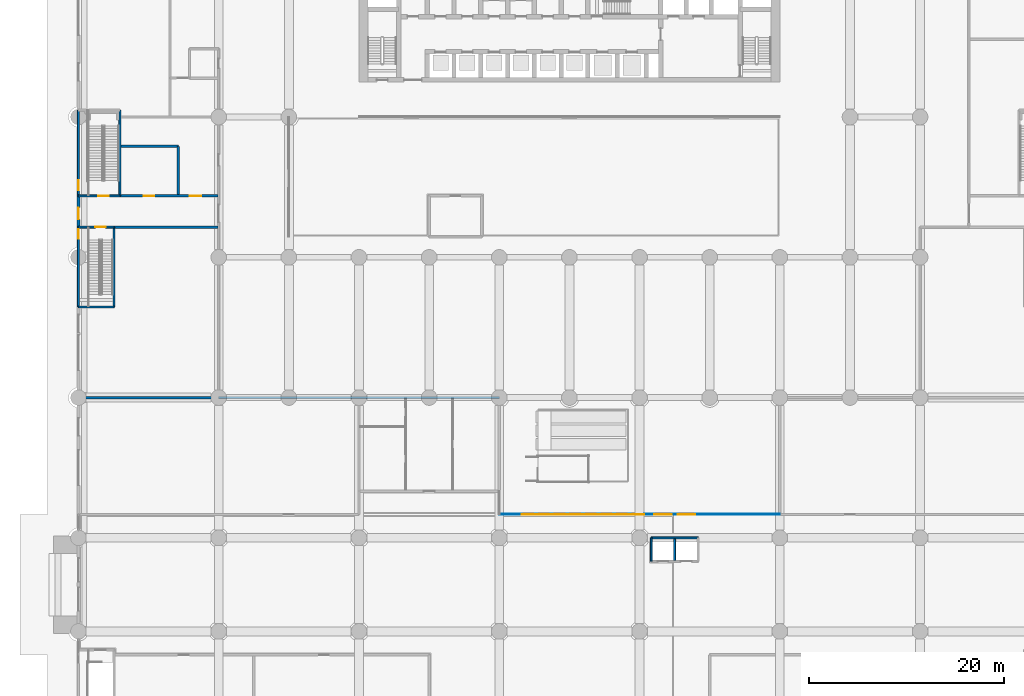
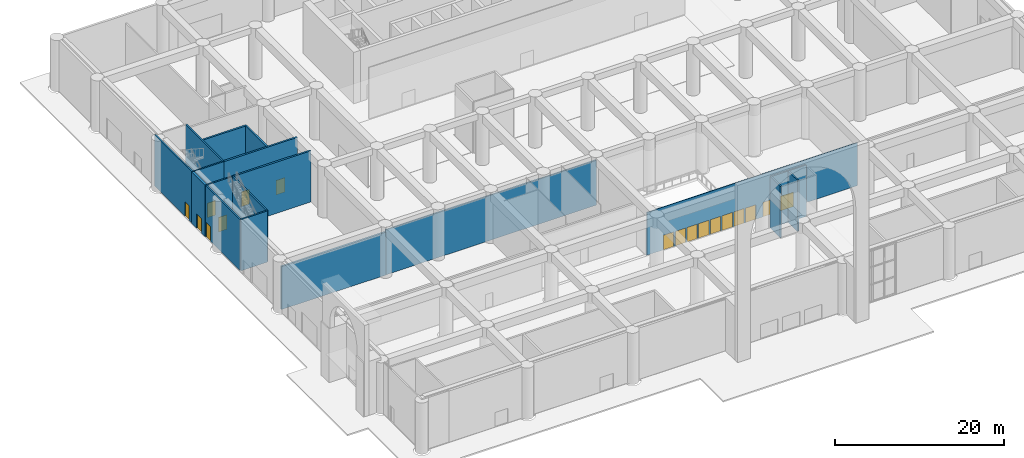
# One storey, part 14 of 32: 18 walls, 17 doors, 17 openings.
"""IFC4 building model written with IfcOpenShell, lengths in metres."""

from ifc_helpers import new_model, si_unit, direction, frame, frame_2d, origin, place, context, subcontext, project, spatial, rectangle, extrude, material, layer, layer_set, type_object, element, fill, save


model = new_model("IFC4")

# Units and contexts
model_context = context("Model", 3, precision=1e-05, world=origin(), true_north=direction((0.0, 1.0)))
body_context = subcontext(model_context, "Body", "Model", "MODEL_VIEW")
ifc_project = project(units=[si_unit("LENGTHUNIT", "METRE"), si_unit("AREAUNIT", "SQUARE_METRE"), si_unit("VOLUMEUNIT", "CUBIC_METRE"), si_unit("PLANEANGLEUNIT", "RADIAN"), si_unit("MASSUNIT", "GRAM", prefix="KILO")], contexts=[model_context])

# Site, building, storey
site_placement = place(None, origin())
site = spatial("IfcSite", under=ifc_project, at=site_placement, CompositionType="ELEMENT")
building_placement = place(site_placement, origin())
building = spatial("IfcBuilding", under=site, at=building_placement, Name="Saffron Iwan Residences", CompositionType="ELEMENT")
storey_placement = place(building_placement, origin())
storey = spatial("IfcBuildingStorey", under=building, at=storey_placement, Name="L00", CompositionType="ELEMENT", Elevation=0.0)

# Walls
ifc_material_1 = material(Name="Concrete blockwork", Category="masonry")
ifc_layer_1 = layer(ifc_material_1, 0.18994140625)
ifc_layer_set_1 = layer_set([ifc_layer_1], Name="Concrete blockwork")
wall_type_1 = type_object("IfcWallType", Name="Car park blockwork wall 190", PredefinedType="PARTITIONING", material=ifc_layer_set_1)
wall_1_placement = place(storey_placement, frame((14.39990234375, 33.60009765625, 0.0), z_axis=(0.0, 0.0, 1.0), x_axis=(1.0, 0.0, 0.0)))
element("IfcWall", 1, at=wall_1_placement, inside=storey, type_object=wall_type_1, Name="W-L00-016", PredefinedType="PARTITIONING", context=body_context, shape_type="SweptSolid", body=[
    extrude(rectangle(XDim=28.800048828125, YDim=0.18994140625, at=frame_2d((14.39990234375, 0.0))), origin(), (0.0, 0.0, 1.0), 6.5),
])
ifc_material_2 = material(Name="Concrete C40/50", Category="concrete")
ifc_layer_2 = layer(ifc_material_2, 0.25)
ifc_layer_set_2 = layer_set([ifc_layer_2], Name="Concrete C40/50")
wall_type_2 = type_object("IfcWallType", Name="Fire compartment wall 250", PredefinedType="SOLIDWALL", material=ifc_layer_set_2)
wall_2_placement = place(storey_placement, frame((0.14990234375, 33.60009765625, 0.0), z_axis=(0.0, 0.0, 1.0), x_axis=(1.0, 0.0, 0.0)))
element("IfcWall", 2, at=wall_2_placement, inside=storey, type_object=wall_type_2, Name="W-L00-018", PredefinedType="SOLIDWALL", context=body_context, shape_type="SweptSolid", body=[
    extrude(rectangle(XDim=14.25, YDim=0.25, at=frame_2d((7.125, 0.0))), origin(), (0.0, 0.0, 1.0), 6.199951171875),
])
wall_3_placement = place(storey_placement, frame((3.64990234375, 51.10009765625, 0.0), z_axis=(0.0, 0.0, 1.0), x_axis=(1.0, 0.0, 0.0)))
element("IfcWall", 3, at=wall_3_placement, inside=storey, type_object=wall_type_2, Name="W-L00-025", PredefinedType="SOLIDWALL", context=body_context, shape_type="SweptSolid", body=[
    extrude(rectangle(XDim=10.655029296875, YDim=0.25, at=frame_2d((5.32763671875, 0.0))), origin(), (0.0, 0.0, 1.0), 7.39990234375),
])

# Wall, openings, doors
wall_4_placement = place(storey_placement, frame((4.25, 54.300048828125, 0.0), z_axis=(0.0, 0.0, 1.0), x_axis=(1.0, 0.0, 0.0)))
wall_4 = element("IfcWall", 4, at=wall_4_placement, inside=storey, type_object=wall_type_2, Name="W-L00-029", PredefinedType="SOLIDWALL", context=body_context, shape_type="SweptSolid", body=[
    extrude(rectangle(XDim=10.054931640625, YDim=0.25, at=frame_2d((5.02734375, 0.0))), origin(), (0.0, 0.0, 1.0), 7.39990234375),
])
opening_1_placement = place(wall_4_placement, frame((2.449951171875, 0.0, 0.0)))
opening_1 = element("IfcOpeningElement", 5, at=opening_1_placement, cuts=wall_4, Name="Opening L00.23", PredefinedType="OPENING", context=body_context, shape_type="SweptSolid", body=[
    extrude(rectangle(XDim=1.10009765625, YDim=2.10009765625, at=frame_2d((0.550048828125, 1.050048828125))), frame((0.0, 0.135009765625, 0.0), z_axis=(0.0, -1.0, 0.0), x_axis=(1.0, 0.0, 0.0)), (0.0, 0.0, 1.0), 0.27001953125),
])
opening_2_placement = place(wall_4_placement, frame((7.14990234375, 0.0, 0.0)))
opening_2 = element("IfcOpeningElement", 6, at=opening_2_placement, cuts=wall_4, Name="Opening L00.24", PredefinedType="OPENING", context=body_context, shape_type="SweptSolid", body=[
    extrude(rectangle(XDim=1.199951171875, YDim=2.10009765625, at=frame_2d((0.60009765625, 1.050048828125))), frame((0.0, 0.135009765625, 0.0), z_axis=(0.0, -1.0, 0.0), x_axis=(1.0, 0.0, 0.0)), (0.0, 0.0, 1.0), 0.27001953125),
])
ifc_material_3 = material(Name="Timber", Category="wood")
door_type_1 = type_object("IfcDoorType", Name="Door 1100x2100", OperationType="NOTDEFINED", PredefinedType="DOOR", material=ifc_material_3)
door_1_placement = place(opening_1_placement, origin())
door_1 = element("IfcDoor", 7, at=door_1_placement, inside=storey, type_object=door_type_1, Name="D-L00-023", OperationType="SINGLE_SWING_LEFT", OverallHeight=2.10009765625, OverallWidth=1.10009765625, PredefinedType="DOOR", context=body_context, shape_type="SweptSolid", body=[
    extrude(rectangle(XDim=1.10009765625, YDim=2.10009765625, at=frame_2d((0.550048828125, 1.050048828125))), frame((0.0, 0.02490234375, 0.0), z_axis=(0.0, -1.0, 0.0), x_axis=(1.0, 0.0, 0.0)), (0.0, 0.0, 1.0), 0.050048828125),
])
fill(opening_1, door_1)
door_type_2 = type_object("IfcDoorType", Name="Door 1200x2100", OperationType="NOTDEFINED", PredefinedType="DOOR", material=ifc_material_3)
door_2_placement = place(opening_2_placement, origin())
door_2 = element("IfcDoor", 8, at=door_2_placement, inside=storey, type_object=door_type_2, Name="D-L00-024", OperationType="SINGLE_SWING_RIGHT", OverallHeight=2.10009765625, OverallWidth=1.199951171875, PredefinedType="DOOR", context=body_context, shape_type="SweptSolid", body=[
    extrude(rectangle(XDim=1.199951171875, YDim=2.10009765625, at=frame_2d((0.60009765625, 1.050048828125))), frame((0.0, 0.02490234375, 0.0), z_axis=(0.0, -1.0, 0.0), x_axis=(1.0, 0.0, 0.0)), (0.0, 0.0, 1.0), 0.050048828125),
])
fill(opening_2, door_2)

# Walls
wall_5_placement = place(storey_placement, frame((4.35009765625, 59.39990234375, 0.0), z_axis=(0.0, 0.0, 1.0), x_axis=(1.0, 0.0, 0.0)))
element("IfcWall", 9, at=wall_5_placement, inside=storey, type_object=wall_type_2, Name="W-L00-034", PredefinedType="SOLIDWALL", context=body_context, shape_type="SweptSolid", body=[
    extrude(rectangle(XDim=5.89990234375, YDim=0.25, at=frame_2d((2.949951171875, 0.0))), origin(), (0.0, 0.0, 1.0), 7.39990234375),
])
wall_6_placement = place(storey_placement, frame((10.25, 54.425048828125, 0.0), z_axis=(0.0, 0.0, 1.0), x_axis=(0.0, 1.0, 0.0)))
element("IfcWall", 10, at=wall_6_placement, inside=storey, type_object=wall_type_2, Name="W-L00-055", PredefinedType="SOLIDWALL", context=body_context, shape_type="SweptSolid", body=[
    extrude(rectangle(XDim=4.974853515625, YDim=0.25, at=frame_2d((2.4873046875, 0.0))), origin(), (0.0, 0.0, 1.0), 7.39990234375),
])

# Wall, openings, doors
ifc_material_4 = material(Name="Plasterboard")
ifc_layer_3 = layer(ifc_material_4, 0.10009765625)
ifc_layer_set_3 = layer_set([ifc_layer_3], Name="Plasterboard")
wall_type_3 = type_object("IfcWallType", Name="Plasterboard partition 100", PredefinedType="PARTITIONING", material=ifc_layer_set_3)
wall_7_placement = place(storey_placement, frame((43.199951171875, 21.60009765625, 0.0), z_axis=(0.0, 0.0, 1.0), x_axis=(1.0, 0.0, 0.0)))
wall_7 = element("IfcWall", 11, at=wall_7_placement, inside=storey, type_object=wall_type_3, Name="W-L00-011", PredefinedType="PARTITIONING", context=body_context, shape_type="SweptSolid", body=[
    extrude(rectangle(XDim=28.800048828125, YDim=0.10009765625, at=frame_2d((14.39990234375, 0.0))), origin(), (0.0, 0.0, 1.0), 6.199951171875),
])
opening_3_placement = place(wall_7_placement, frame((2.300048828125, 0.0, 0.0)))
opening_3 = element("IfcOpeningElement", 12, at=opening_3_placement, cuts=wall_7, Name="Opening L00.13", PredefinedType="OPENING", context=body_context, shape_type="SweptSolid", body=[
    extrude(rectangle(XDim=1.39990234375, YDim=2.10009765625, at=frame_2d((0.699951171875, 1.050048828125))), frame((0.0, 0.06005859375, 0.0), z_axis=(0.0, -1.0, 0.0), x_axis=(1.0, 0.0, 0.0)), (0.0, 0.0, 1.0), 0.1201171875),
])
opening_4_placement = place(wall_7_placement, frame((3.89990234375, 0.0, 0.0)))
opening_4 = element("IfcOpeningElement", 13, at=opening_4_placement, cuts=wall_7, Name="Opening L00.14", PredefinedType="OPENING", context=body_context, shape_type="SweptSolid", body=[
    extrude(rectangle(XDim=1.39990234375, YDim=2.10009765625, at=frame_2d((0.699951171875, 1.050048828125))), frame((0.0, 0.06005859375, 0.0), z_axis=(0.0, -1.0, 0.0), x_axis=(1.0, 0.0, 0.0)), (0.0, 0.0, 1.0), 0.1201171875),
])
opening_5_placement = place(wall_7_placement, frame((5.5, 0.0, 0.0)))
opening_5 = element("IfcOpeningElement", 14, at=opening_5_placement, cuts=wall_7, Name="Opening L00.15", PredefinedType="OPENING", context=body_context, shape_type="SweptSolid", body=[
    extrude(rectangle(XDim=1.39990234375, YDim=2.10009765625, at=frame_2d((0.699951171875, 1.050048828125))), frame((0.0, 0.06005859375, 0.0), z_axis=(0.0, -1.0, 0.0), x_axis=(1.0, 0.0, 0.0)), (0.0, 0.0, 1.0), 0.1201171875),
])
opening_6_placement = place(wall_7_placement, frame((7.10009765625, 0.0, 0.0)))
opening_6 = element("IfcOpeningElement", 15, at=opening_6_placement, cuts=wall_7, Name="Opening L00.16", PredefinedType="OPENING", context=body_context, shape_type="SweptSolid", body=[
    extrude(rectangle(XDim=1.39990234375, YDim=2.10009765625, at=frame_2d((0.699951171875, 1.050048828125))), frame((0.0, 0.06005859375, 0.0), z_axis=(0.0, -1.0, 0.0), x_axis=(1.0, 0.0, 0.0)), (0.0, 0.0, 1.0), 0.1201171875),
])
opening_7_placement = place(wall_7_placement, frame((8.699951171875, 0.0, 0.0)))
opening_7 = element("IfcOpeningElement", 16, at=opening_7_placement, cuts=wall_7, Name="Opening L00.17", PredefinedType="OPENING", context=body_context, shape_type="SweptSolid", body=[
    extrude(rectangle(XDim=1.39990234375, YDim=2.10009765625, at=frame_2d((0.699951171875, 1.050048828125))), frame((0.0, 0.06005859375, 0.0), z_axis=(0.0, -1.0, 0.0), x_axis=(1.0, 0.0, 0.0)), (0.0, 0.0, 1.0), 0.1201171875),
])
opening_8_placement = place(wall_7_placement, frame((10.300048828125, 0.0, 0.0)))
opening_8 = element("IfcOpeningElement", 17, at=opening_8_placement, cuts=wall_7, Name="Opening L00.18", PredefinedType="OPENING", context=body_context, shape_type="SweptSolid", body=[
    extrude(rectangle(XDim=1.39990234375, YDim=2.10009765625, at=frame_2d((0.699951171875, 1.050048828125))), frame((0.0, 0.06005859375, 0.0), z_axis=(0.0, -1.0, 0.0), x_axis=(1.0, 0.0, 0.0)), (0.0, 0.0, 1.0), 0.1201171875),
])
opening_9_placement = place(wall_7_placement, frame((11.89990234375, 0.0, 0.0)))
opening_9 = element("IfcOpeningElement", 18, at=opening_9_placement, cuts=wall_7, Name="Opening L00.19", PredefinedType="OPENING", context=body_context, shape_type="SweptSolid", body=[
    extrude(rectangle(XDim=1.39990234375, YDim=2.10009765625, at=frame_2d((0.699951171875, 1.050048828125))), frame((0.0, 0.06005859375, 0.0), z_axis=(0.0, -1.0, 0.0), x_axis=(1.0, 0.0, 0.0)), (0.0, 0.0, 1.0), 0.1201171875),
])
opening_10_placement = place(wall_7_placement, frame((13.5, 0.0, 0.0)))
opening_10 = element("IfcOpeningElement", 19, at=opening_10_placement, cuts=wall_7, Name="Opening L00.20", PredefinedType="OPENING", context=body_context, shape_type="SweptSolid", body=[
    extrude(rectangle(XDim=1.39990234375, YDim=2.10009765625, at=frame_2d((0.699951171875, 1.050048828125))), frame((0.0, 0.06005859375, 0.0), z_axis=(0.0, -1.0, 0.0), x_axis=(1.0, 0.0, 0.0)), (0.0, 0.0, 1.0), 0.1201171875),
])
opening_11_placement = place(wall_7_placement, frame((15.89990234375, 0.0, 0.0)))
opening_11 = element("IfcOpeningElement", 20, at=opening_11_placement, cuts=wall_7, Name="Opening L00.21", PredefinedType="OPENING", context=body_context, shape_type="SweptSolid", body=[
    extrude(rectangle(XDim=1.800048828125, YDim=2.10009765625, at=frame_2d((0.89990234375, 1.050048828125))), frame((0.0, 0.06005859375, 0.0), z_axis=(0.0, -1.0, 0.0), x_axis=(1.0, 0.0, 0.0)), (0.0, 0.0, 1.0), 0.1201171875),
])
opening_12_placement = place(wall_7_placement, frame((18.300048828125, 0.0, 0.0)))
opening_12 = element("IfcOpeningElement", 21, at=opening_12_placement, cuts=wall_7, Name="Opening L00.22", PredefinedType="OPENING", context=body_context, shape_type="SweptSolid", body=[
    extrude(rectangle(XDim=1.800048828125, YDim=2.10009765625, at=frame_2d((0.89990234375, 1.050048828125))), frame((0.0, 0.06005859375, 0.0), z_axis=(0.0, -1.0, 0.0), x_axis=(1.0, 0.0, 0.0)), (0.0, 0.0, 1.0), 0.1201171875),
])
ifc_material_5 = material(Name="Stainless steel", Category="steel")
door_type_3 = type_object("IfcDoorType", Name="Ticket gate 1400", OperationType="SLIDING_TO_LEFT", PredefinedType="GATE", material=ifc_material_5)
door_3_placement = place(opening_3_placement, origin())
door_3 = element("IfcDoor", 22, at=door_3_placement, inside=storey, type_object=door_type_3, Name="D-L00-013", OperationType="SLIDING_TO_LEFT", OverallHeight=2.10009765625, OverallWidth=1.39990234375, PredefinedType="GATE", context=body_context, shape_type="SweptSolid", body=[
    extrude(rectangle(XDim=1.39990234375, YDim=2.10009765625, at=frame_2d((0.699951171875, 1.050048828125))), frame((0.0, 0.02490234375, 0.0), z_axis=(0.0, -1.0, 0.0), x_axis=(1.0, 0.0, 0.0)), (0.0, 0.0, 1.0), 0.050048828125),
])
fill(opening_3, door_3)
door_4_placement = place(opening_4_placement, origin())
door_4 = element("IfcDoor", 23, at=door_4_placement, inside=storey, type_object=door_type_3, Name="D-L00-014", OperationType="SLIDING_TO_LEFT", OverallHeight=2.10009765625, OverallWidth=1.39990234375, PredefinedType="GATE", context=body_context, shape_type="SweptSolid", body=[
    extrude(rectangle(XDim=1.39990234375, YDim=2.10009765625, at=frame_2d((0.699951171875, 1.050048828125))), frame((0.0, 0.02490234375, 0.0), z_axis=(0.0, -1.0, 0.0), x_axis=(1.0, 0.0, 0.0)), (0.0, 0.0, 1.0), 0.050048828125),
])
fill(opening_4, door_4)
door_5_placement = place(opening_5_placement, origin())
door_5 = element("IfcDoor", 24, at=door_5_placement, inside=storey, type_object=door_type_3, Name="D-L00-015", OperationType="SLIDING_TO_LEFT", OverallHeight=2.10009765625, OverallWidth=1.39990234375, PredefinedType="GATE", context=body_context, shape_type="SweptSolid", body=[
    extrude(rectangle(XDim=1.39990234375, YDim=2.10009765625, at=frame_2d((0.699951171875, 1.050048828125))), frame((0.0, 0.02490234375, 0.0), z_axis=(0.0, -1.0, 0.0), x_axis=(1.0, 0.0, 0.0)), (0.0, 0.0, 1.0), 0.050048828125),
])
fill(opening_5, door_5)
door_6_placement = place(opening_6_placement, origin())
door_6 = element("IfcDoor", 25, at=door_6_placement, inside=storey, type_object=door_type_3, Name="D-L00-016", OperationType="SLIDING_TO_LEFT", OverallHeight=2.10009765625, OverallWidth=1.39990234375, PredefinedType="GATE", context=body_context, shape_type="SweptSolid", body=[
    extrude(rectangle(XDim=1.39990234375, YDim=2.10009765625, at=frame_2d((0.699951171875, 1.050048828125))), frame((0.0, 0.02490234375, 0.0), z_axis=(0.0, -1.0, 0.0), x_axis=(1.0, 0.0, 0.0)), (0.0, 0.0, 1.0), 0.050048828125),
])
fill(opening_6, door_6)
door_7_placement = place(opening_7_placement, origin())
door_7 = element("IfcDoor", 26, at=door_7_placement, inside=storey, type_object=door_type_3, Name="D-L00-017", OperationType="SLIDING_TO_LEFT", OverallHeight=2.10009765625, OverallWidth=1.39990234375, PredefinedType="GATE", context=body_context, shape_type="SweptSolid", body=[
    extrude(rectangle(XDim=1.39990234375, YDim=2.10009765625, at=frame_2d((0.699951171875, 1.050048828125))), frame((0.0, 0.02490234375, 0.0), z_axis=(0.0, -1.0, 0.0), x_axis=(1.0, 0.0, 0.0)), (0.0, 0.0, 1.0), 0.050048828125),
])
fill(opening_7, door_7)
door_8_placement = place(opening_8_placement, origin())
door_8 = element("IfcDoor", 27, at=door_8_placement, inside=storey, type_object=door_type_3, Name="D-L00-018", OperationType="SLIDING_TO_LEFT", OverallHeight=2.10009765625, OverallWidth=1.39990234375, PredefinedType="GATE", context=body_context, shape_type="SweptSolid", body=[
    extrude(rectangle(XDim=1.39990234375, YDim=2.10009765625, at=frame_2d((0.699951171875, 1.050048828125))), frame((0.0, 0.02490234375, 0.0), z_axis=(0.0, -1.0, 0.0), x_axis=(1.0, 0.0, 0.0)), (0.0, 0.0, 1.0), 0.050048828125),
])
fill(opening_8, door_8)
door_9_placement = place(opening_9_placement, origin())
door_9 = element("IfcDoor", 28, at=door_9_placement, inside=storey, type_object=door_type_3, Name="D-L00-019", OperationType="SLIDING_TO_LEFT", OverallHeight=2.10009765625, OverallWidth=1.39990234375, PredefinedType="GATE", context=body_context, shape_type="SweptSolid", body=[
    extrude(rectangle(XDim=1.39990234375, YDim=2.10009765625, at=frame_2d((0.699951171875, 1.050048828125))), frame((0.0, 0.02490234375, 0.0), z_axis=(0.0, -1.0, 0.0), x_axis=(1.0, 0.0, 0.0)), (0.0, 0.0, 1.0), 0.050048828125),
])
fill(opening_9, door_9)
door_10_placement = place(opening_10_placement, origin())
door_10 = element("IfcDoor", 29, at=door_10_placement, inside=storey, type_object=door_type_3, Name="D-L00-020", OperationType="SLIDING_TO_LEFT", OverallHeight=2.10009765625, OverallWidth=1.39990234375, PredefinedType="GATE", context=body_context, shape_type="SweptSolid", body=[
    extrude(rectangle(XDim=1.39990234375, YDim=2.10009765625, at=frame_2d((0.699951171875, 1.050048828125))), frame((0.0, 0.02490234375, 0.0), z_axis=(0.0, -1.0, 0.0), x_axis=(1.0, 0.0, 0.0)), (0.0, 0.0, 1.0), 0.050048828125),
])
fill(opening_10, door_10)
door_type_4 = type_object("IfcDoorType", Name="Wide-aisle accessible gate 1800", OperationType="SLIDING_TO_LEFT", PredefinedType="GATE", material=ifc_material_5)
door_11_placement = place(opening_11_placement, origin())
door_11 = element("IfcDoor", 30, at=door_11_placement, inside=storey, type_object=door_type_4, Name="D-L00-021", OperationType="SLIDING_TO_LEFT", OverallHeight=2.10009765625, OverallWidth=1.800048828125, PredefinedType="GATE", context=body_context, shape_type="SweptSolid", body=[
    extrude(rectangle(XDim=1.800048828125, YDim=2.10009765625, at=frame_2d((0.89990234375, 1.050048828125))), frame((0.0, 0.02490234375, 0.0), z_axis=(0.0, -1.0, 0.0), x_axis=(1.0, 0.0, 0.0)), (0.0, 0.0, 1.0), 0.050048828125),
])
fill(opening_11, door_11)
door_12_placement = place(opening_12_placement, origin())
door_12 = element("IfcDoor", 31, at=door_12_placement, inside=storey, type_object=door_type_4, Name="D-L00-022", OperationType="SLIDING_TO_LEFT", OverallHeight=2.10009765625, OverallWidth=1.800048828125, PredefinedType="GATE", context=body_context, shape_type="SweptSolid", body=[
    extrude(rectangle(XDim=1.800048828125, YDim=2.10009765625, at=frame_2d((0.89990234375, 1.050048828125))), frame((0.0, 0.02490234375, 0.0), z_axis=(0.0, -1.0, 0.0), x_axis=(1.0, 0.0, 0.0)), (0.0, 0.0, 1.0), 0.050048828125),
])
fill(opening_12, door_12)

# Wall, opening, door
ifc_material_6 = material(Name="Precast concrete C40/50", Category="concrete")
ifc_layer_4 = layer(ifc_material_6, 0.300048828125)
ifc_layer_set_4 = layer_set([ifc_layer_4], Name="Precast concrete C40/50")
wall_type_4 = type_object("IfcWallType", Name="Podium external wall 300", PredefinedType="SOLIDWALL", material=ifc_layer_set_4)
wall_8_placement = place(storey_placement, frame((0.0, 51.10009765625, 0.0), z_axis=(0.0, 0.0, 1.0), x_axis=(0.0, 1.0, 0.0)))
wall_8 = element("IfcWall", 32, at=wall_8_placement, inside=storey, type_object=wall_type_4, Name="W-L00-045", PredefinedType="SOLIDWALL", context=body_context, shape_type="SweptSolid", body=[
    extrude(rectangle(XDim=3.199951171875, YDim=0.300048828125, at=frame_2d((1.60009765625, 0.0))), origin(), (0.0, 0.0, 1.0), 7.39990234375),
])
opening_13_placement = place(wall_8_placement, frame((0.800048828125, 0.0, 0.0)))
opening_13 = element("IfcOpeningElement", 33, at=opening_13_placement, cuts=wall_8, Name="Opening L00.58", PredefinedType="OPENING", context=body_context, shape_type="SweptSolid", body=[
    extrude(rectangle(XDim=1.199951171875, YDim=2.10009765625, at=frame_2d((0.60009765625, 1.050048828125))), frame((0.0, 0.16015625, 0.0), z_axis=(0.0, -1.0, 0.0), x_axis=(1.0, 0.0, 0.0)), (0.0, 0.0, 1.0), 0.320068359375),
])
door_13_placement = place(opening_13_placement, origin())
door_13 = element("IfcDoor", 34, at=door_13_placement, inside=storey, type_object=door_type_2, Name="D-L00-058", OperationType="SINGLE_SWING_LEFT", OverallHeight=2.10009765625, OverallWidth=1.199951171875, PredefinedType="DOOR", context=body_context, shape_type="SweptSolid", body=[
    extrude(rectangle(XDim=1.199951171875, YDim=2.10009765625, at=frame_2d((0.60009765625, 1.050048828125))), frame((0.0, 0.02490234375, 0.0), z_axis=(0.0, -1.0, 0.0), x_axis=(1.0, 0.0, 0.0)), (0.0, 0.0, 1.0), 0.050048828125),
])
fill(opening_13, door_13)

# Walls
ifc_layer_5 = layer(ifc_material_2, 0.199951171875)
ifc_layer_set_5 = layer_set([ifc_layer_5], Name="Concrete C40/50")
wall_type_5 = type_object("IfcWallType", Name="Reinforced concrete stair wall 200", PredefinedType="SOLIDWALL", material=ifc_layer_set_5)
wall_9_placement = place(storey_placement, frame((58.800048828125, 19.199951171875, 0.0), z_axis=(0.0, 0.0, 1.0), x_axis=(1.0, 0.0, 0.0)))
element("IfcWall", 35, at=wall_9_placement, inside=storey, type_object=wall_type_5, Name="W-L00-010", PredefinedType="SOLIDWALL", context=body_context, shape_type="SweptSolid", body=[
    extrude(rectangle(XDim=4.800048828125, YDim=0.199951171875, at=frame_2d((2.39990234375, 0.0))), origin(), (0.0, 0.0, 1.0), 7.39990234375),
])
wall_10_placement = place(storey_placement, frame((0.0, 42.89990234375, 0.0), z_axis=(0.0, 0.0, 1.0), x_axis=(1.0, 0.0, 0.0)))
element("IfcWall", 36, at=wall_10_placement, inside=storey, type_object=wall_type_5, Name="W-L00-021", PredefinedType="SOLIDWALL", context=body_context, shape_type="SweptSolid", body=[
    extrude(rectangle(XDim=3.64990234375, YDim=0.199951171875, at=frame_2d((1.824951171875, 0.0))), origin(), (0.0, 0.0, 1.0), 7.39990234375),
])

# Wall, opening, door
wall_11_placement = place(storey_placement, frame((0.0, 51.10009765625, 0.0), z_axis=(0.0, 0.0, 1.0), x_axis=(1.0, 0.0, 0.0)))
wall_11 = element("IfcWall", 37, at=wall_11_placement, inside=storey, type_object=wall_type_5, Name="W-L00-027", PredefinedType="SOLIDWALL", context=body_context, shape_type="SweptSolid", body=[
    extrude(rectangle(XDim=3.64990234375, YDim=0.199951171875, at=frame_2d((1.824951171875, 0.0))), origin(), (0.0, 0.0, 1.0), 7.39990234375),
])
opening_14_placement = place(wall_11_placement, frame((1.72509765625, 0.0, 0.0)))
opening_14 = element("IfcOpeningElement", 38, at=opening_14_placement, cuts=wall_11, Name="Opening L00.35", PredefinedType="OPENING", context=body_context, shape_type="SweptSolid", body=[
    extrude(rectangle(XDim=1.10009765625, YDim=2.10009765625, at=frame_2d((0.550048828125, 1.050048828125))), frame((0.0, 0.10986328125, 0.0), z_axis=(0.0, -1.0, 0.0), x_axis=(1.0, 0.0, 0.0)), (0.0, 0.0, 1.0), 0.219970703125),
])
ifc_material_7 = material(Name="Steel", Category="steel")
door_type_5 = type_object("IfcDoorType", Name="Fire door 1100x2100", OperationType="NOTDEFINED", PredefinedType="DOOR", material=ifc_material_7)
door_14_placement = place(opening_14_placement, origin())
door_14 = element("IfcDoor", 39, at=door_14_placement, inside=storey, type_object=door_type_5, Name="D-L00-035", OperationType="SINGLE_SWING_RIGHT", OverallHeight=2.10009765625, OverallWidth=1.10009765625, PredefinedType="DOOR", context=body_context, shape_type="SweptSolid", body=[
    extrude(rectangle(XDim=1.10009765625, YDim=2.10009765625, at=frame_2d((0.550048828125, 1.050048828125))), frame((0.0, 0.02490234375, 0.0), z_axis=(0.0, -1.0, 0.0), x_axis=(1.0, 0.0, 0.0)), (0.0, 0.0, 1.0), 0.050048828125),
])
fill(opening_14, door_14)

wall_12_placement = place(storey_placement, frame((0.0, 54.300048828125, 0.0), z_axis=(0.0, 0.0, 1.0), x_axis=(1.0, 0.0, 0.0)))
wall_12 = element("IfcWall", 40, at=wall_12_placement, inside=storey, type_object=wall_type_5, Name="W-L00-032", PredefinedType="SOLIDWALL", context=body_context, shape_type="SweptSolid", body=[
    extrude(rectangle(XDim=4.25, YDim=0.199951171875, at=frame_2d((2.125, 0.0))), origin(), (0.0, 0.0, 1.0), 7.39990234375),
])
opening_15_placement = place(wall_12_placement, frame((2.02490234375, 0.0, 0.0)))
opening_15 = element("IfcOpeningElement", 41, at=opening_15_placement, cuts=wall_12, Name="Opening L00.37", PredefinedType="OPENING", context=body_context, shape_type="SweptSolid", body=[
    extrude(rectangle(XDim=1.10009765625, YDim=2.10009765625, at=frame_2d((0.550048828125, 1.050048828125))), frame((0.0, 0.10986328125, 0.0), z_axis=(0.0, -1.0, 0.0), x_axis=(1.0, 0.0, 0.0)), (0.0, 0.0, 1.0), 0.219970703125),
])
door_15_placement = place(opening_15_placement, origin())
door_15 = element("IfcDoor", 42, at=door_15_placement, inside=storey, type_object=door_type_5, Name="D-L00-037", OperationType="SINGLE_SWING_RIGHT", OverallHeight=2.10009765625, OverallWidth=1.10009765625, PredefinedType="DOOR", context=body_context, shape_type="SweptSolid", body=[
    extrude(rectangle(XDim=1.10009765625, YDim=2.10009765625, at=frame_2d((0.550048828125, 1.050048828125))), frame((0.0, 0.02490234375, 0.0), z_axis=(0.0, -1.0, 0.0), x_axis=(1.0, 0.0, 0.0)), (0.0, 0.0, 1.0), 0.050048828125),
])
fill(opening_15, door_15)

wall_13_placement = place(storey_placement, frame((0.0, 42.89990234375, 0.0), z_axis=(0.0, 0.0, 1.0), x_axis=(0.0, 1.0, 0.0)))
wall_13 = element("IfcWall", 43, at=wall_13_placement, inside=storey, type_object=wall_type_5, Name="W-L00-048", PredefinedType="SOLIDWALL", context=body_context, shape_type="SweptSolid", body=[
    extrude(rectangle(XDim=8.2001953125, YDim=0.199951171875, at=frame_2d((4.10009765625, 0.0))), origin(), (0.0, 0.0, 1.0), 7.39990234375),
])
opening_16_placement = place(wall_13_placement, frame((7.0, 0.0, 0.0)))
opening_16 = element("IfcOpeningElement", 44, at=opening_16_placement, cuts=wall_13, Name="Opening L00.67", PredefinedType="OPENING", context=body_context, shape_type="SweptSolid", body=[
    extrude(rectangle(XDim=1.0, YDim=2.10009765625, at=frame_2d((0.5, 1.050048828125))), frame((0.0, 0.10986328125, 0.0), z_axis=(0.0, -1.0, 0.0), x_axis=(1.0, 0.0, 0.0)), (0.0, 0.0, 1.0), 0.219970703125),
])
door_type_6 = type_object("IfcDoorType", Name="Fire door 1000x2100", OperationType="NOTDEFINED", PredefinedType="DOOR", material=ifc_material_7)
door_16_placement = place(opening_16_placement, origin())
door_16 = element("IfcDoor", 45, at=door_16_placement, inside=storey, type_object=door_type_6, Name="D-L00-067", OperationType="SINGLE_SWING_RIGHT", OverallHeight=2.10009765625, OverallWidth=1.0, PredefinedType="DOOR", context=body_context, shape_type="SweptSolid", body=[
    extrude(rectangle(XDim=1.0, YDim=2.10009765625, at=frame_2d((0.5, 1.050048828125))), frame((0.0, 0.02490234375, 0.0), z_axis=(0.0, -1.0, 0.0), x_axis=(1.0, 0.0, 0.0)), (0.0, 0.0, 1.0), 0.050048828125),
])
fill(opening_16, door_16)

wall_14_placement = place(storey_placement, frame((0.0, 54.300048828125, 0.0), z_axis=(0.0, 0.0, 1.0), x_axis=(0.0, 1.0, 0.0)))
wall_14 = element("IfcWall", 46, at=wall_14_placement, inside=storey, type_object=wall_type_5, Name="W-L00-049", PredefinedType="SOLIDWALL", context=body_context, shape_type="SweptSolid", body=[
    extrude(rectangle(XDim=8.800048828125, YDim=0.199951171875, at=frame_2d((4.39990234375, 0.0))), origin(), (0.0, 0.0, 1.0), 7.39990234375),
])
opening_17_placement = place(wall_14_placement, frame((0.60009765625, 0.0, 0.0)))
opening_17 = element("IfcOpeningElement", 47, at=opening_17_placement, cuts=wall_14, Name="Opening L00.69", PredefinedType="OPENING", context=body_context, shape_type="SweptSolid", body=[
    extrude(rectangle(XDim=1.0, YDim=2.10009765625, at=frame_2d((0.5, 1.050048828125))), frame((0.0, 0.10986328125, 0.0), z_axis=(0.0, -1.0, 0.0), x_axis=(1.0, 0.0, 0.0)), (0.0, 0.0, 1.0), 0.219970703125),
])
door_17_placement = place(opening_17_placement, origin())
door_17 = element("IfcDoor", 48, at=door_17_placement, inside=storey, type_object=door_type_6, Name="D-L00-069", OperationType="SINGLE_SWING_LEFT", OverallHeight=2.10009765625, OverallWidth=1.0, PredefinedType="DOOR", context=body_context, shape_type="SweptSolid", body=[
    extrude(rectangle(XDim=1.0, YDim=2.10009765625, at=frame_2d((0.5, 1.050048828125))), frame((0.0, 0.02490234375, 0.0), z_axis=(0.0, -1.0, 0.0), x_axis=(1.0, 0.0, 0.0)), (0.0, 0.0, 1.0), 0.050048828125),
])
fill(opening_17, door_17)

# Walls
wall_15_placement = place(storey_placement, frame((3.64990234375, 42.89990234375, 0.0), z_axis=(0.0, 0.0, 1.0), x_axis=(0.0, 1.0, 0.0)))
element("IfcWall", 49, at=wall_15_placement, inside=storey, type_object=wall_type_5, Name="W-L00-051", PredefinedType="SOLIDWALL", context=body_context, shape_type="SweptSolid", body=[
    extrude(rectangle(XDim=8.2001953125, YDim=0.199951171875, at=frame_2d((4.10009765625, 0.0))), origin(), (0.0, 0.0, 1.0), 7.39990234375),
])
wall_16_placement = place(storey_placement, frame((4.25, 54.300048828125, 0.0), z_axis=(0.0, 0.0, 1.0), x_axis=(0.0, 1.0, 0.0)))
element("IfcWall", 50, at=wall_16_placement, inside=storey, type_object=wall_type_5, Name="W-L00-052", PredefinedType="SOLIDWALL", context=body_context, shape_type="SweptSolid", body=[
    extrude(rectangle(XDim=8.800048828125, YDim=0.199951171875, at=frame_2d((4.39990234375, 0.0))), origin(), (0.0, 0.0, 1.0), 7.39990234375),
])
wall_17_placement = place(storey_placement, frame((58.800048828125, 16.800048828125, 0.0), z_axis=(0.0, 0.0, 1.0), x_axis=(0.0, 1.0, 0.0)))
element("IfcWall", 51, at=wall_17_placement, inside=storey, type_object=wall_type_5, Name="W-L00-069", PredefinedType="SOLIDWALL", context=body_context, shape_type="SweptSolid", body=[
    extrude(rectangle(XDim=2.39990234375, YDim=0.199951171875, at=frame_2d((1.199951171875, 0.0))), origin(), (0.0, 0.0, 1.0), 7.39990234375),
])
wall_18_placement = place(storey_placement, frame((61.199951171875, 16.89990234375, 0.0), z_axis=(0.0, 0.0, 1.0), x_axis=(0.0, 1.0, 0.0)))
element("IfcWall", 52, at=wall_18_placement, inside=storey, type_object=wall_type_5, Name="W-L00-070", PredefinedType="SOLIDWALL", context=body_context, shape_type="SweptSolid", body=[
    extrude(rectangle(XDim=2.2001953125, YDim=0.199951171875, at=frame_2d((1.10009765625, 0.0))), origin(), (0.0, 0.0, 1.0), 7.39990234375),
])

save(model, "model.ifc")
